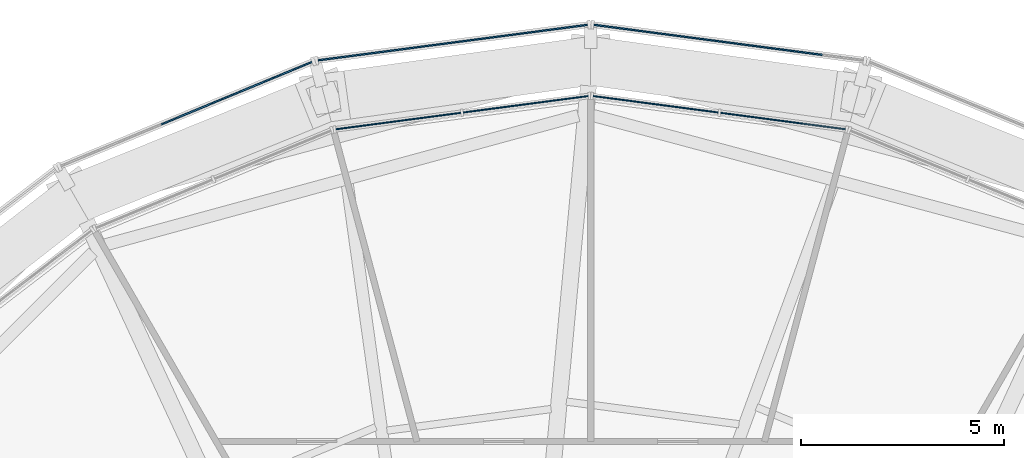
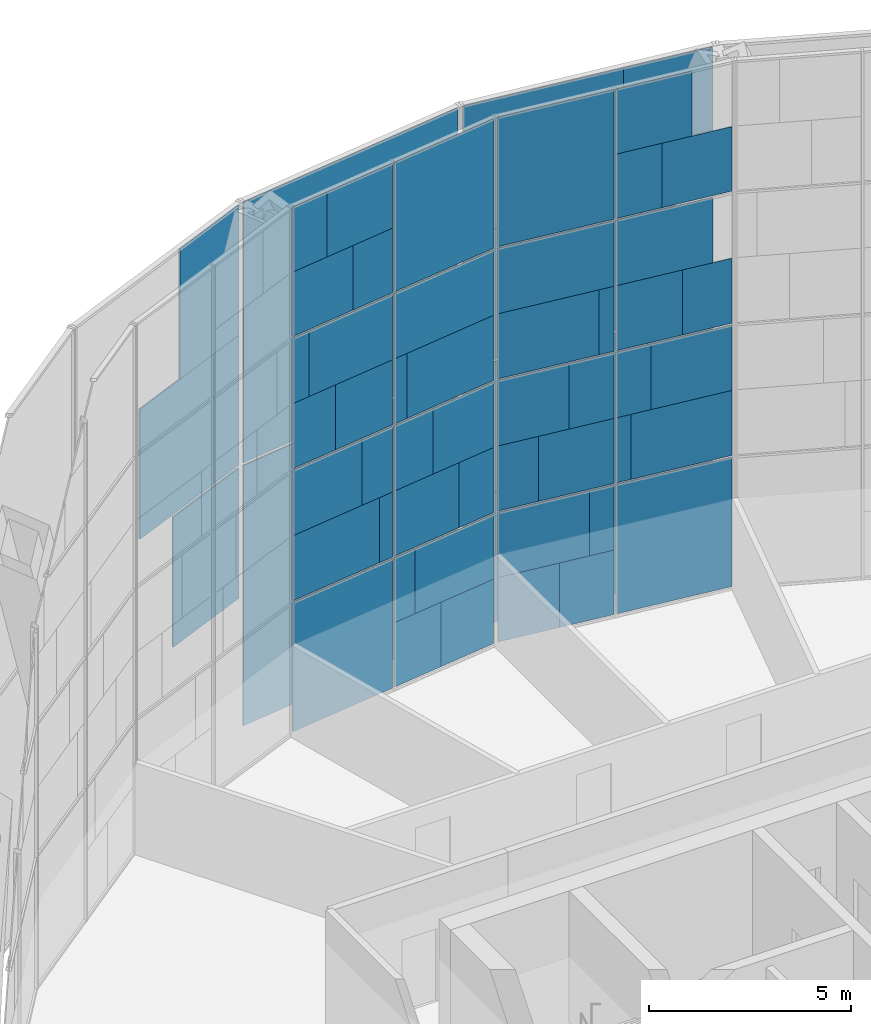
# One storey, part 23 of 29: 63 plates, 5 elements without a shape of their own.
"""IFC4 building model written with IfcOpenShell, lengths in metres."""

from ifc_helpers import new_model, si_unit, direction, frame, origin, origin_2d, place, context, subcontext, project, spatial, rectangle, extrude, material, layer, layer_set, type_object, element, aggregate, save


model = new_model("IFC4")

# Units and contexts
model_context = context("Model", 3, precision=1e-05, world=origin(), true_north=direction((0.0, 1.0)))
body_context = subcontext(model_context, "Body", "Model", "MODEL_VIEW")
ifc_project = project(units=[si_unit("LENGTHUNIT", "METRE"), si_unit("AREAUNIT", "SQUARE_METRE"), si_unit("VOLUMEUNIT", "CUBIC_METRE"), si_unit("PLANEANGLEUNIT", "RADIAN"), si_unit("MASSUNIT", "GRAM", prefix="KILO")], contexts=[model_context])

# Site, building, storey
site_placement = place(None, origin())
site = spatial("IfcSite", under=ifc_project, at=site_placement, CompositionType="ELEMENT")
building_placement = place(site_placement, origin())
building = spatial("IfcBuilding", under=site, at=building_placement, Name="Golbaran Civic Tower", CompositionType="ELEMENT")
storey_placement = place(building_placement, frame((0.0, 0.0, 118.0)))
storey = spatial("IfcBuildingStorey", under=building, at=storey_placement, Name="L28", CompositionType="ELEMENT", Elevation=118.0)

# Curtain wall, plates
ifc_material_1 = material(Name="Aluminium and glass", Category="aluminium")
curtain_wall_type_1 = type_object("IfcCurtainWallType", Name="INNER SKIN CURTAIN WALL", PredefinedType="NOTDEFINED", material=ifc_material_1)
curtain_wall_1_placement = place(storey_placement, origin())
curtain_wall_1 = element("IfcCurtainWall", 1, at=curtain_wall_1_placement, inside=storey, type_object=curtain_wall_type_1, Name="Inner skin L28 facet 6 CW1", ObjectType="INNER SKIN", PredefinedType="USERDEFINED")
ifc_material_2 = material(Name="Clear insulating glass", Category="glass")
ifc_layer_1 = layer(ifc_material_2, 0.031982421875, Name="Clear insulating glass")
ifc_layer_set_1 = layer_set([ifc_layer_1], Name="Clear insulating glass")
plate_type_1 = type_object("IfcPlateType", Name="INNER SKIN CURTAIN WALL GLAZED PANEL", PredefinedType="CURTAIN_PANEL", material=ifc_layer_set_1)
plate_1_placement = place(storey_placement, frame((4.746337890625, 23.9091796875, 0.06494140625), z_axis=(0.0, 0.0, 1.0), x_axis=(-0.991444861372, 0.130526192237, 0.0)))
plate_1 = element("IfcPlate", 2, at=plate_1_placement, type_object=plate_type_1, Name="CW1 panel 1.1", PredefinedType="CURTAIN_PANEL", context=body_context, shape_type="SweptSolid", body=[
    extrude(rectangle(XDim=3.104736328125, YDim=0.031982421875, at=origin_2d()), origin(), (0.0, 0.0, 1.0), 3.902587890625),
])
plate_2_placement = place(storey_placement, frame((4.945556640625, 23.8828125, 4.03271484375), z_axis=(0.0, 0.0, 1.0), x_axis=(-0.991444861372, 0.130526192237, 0.0)))
plate_2 = element("IfcPlate", 3, at=plate_2_placement, type_object=plate_type_1, Name="CW1 panel 1.2 part 1", PredefinedType="CURTAIN_PANEL", context=body_context, shape_type="SweptSolid", body=[
    extrude(rectangle(XDim=2.702880859375, YDim=0.031982421875, at=origin_2d()), origin(), (0.0, 0.0, 1.0), 1.967529296875),
])
plate_3_placement = place(storey_placement, frame((5.211669921875, 23.847900390625, 6.0), z_axis=(0.0, 0.0, 1.0), x_axis=(-0.991444861372, 0.130526192237, 0.0)))
plate_3 = element("IfcPlate", 4, at=plate_3_placement, type_object=plate_type_1, Name="CW1 panel 1.2 part 3", PredefinedType="CURTAIN_PANEL", context=body_context, shape_type="SweptSolid", body=[
    extrude(rectangle(XDim=2.166015625, YDim=0.031982421875, at=origin_2d()), origin(), (0.0, 0.0, 1.0), 1.967529296875),
])
plate_4_placement = place(storey_placement, frame((5.628662109375, 23.79296875, 8.03271484375), z_axis=(0.0, 0.0, 1.0), x_axis=(-0.991444861372, 0.130526192237, 0.0)))
plate_4 = element("IfcPlate", 5, at=plate_4_placement, type_object=plate_type_1, Name="CW1 panel 1.3 part 1", PredefinedType="CURTAIN_PANEL", context=body_context, shape_type="SweptSolid", body=[
    extrude(rectangle(XDim=1.324951171875, YDim=0.031982421875, at=origin_2d()), origin(), (0.0, 0.0, 1.0), 1.967529296875),
])
plate_5_placement = place(storey_placement, frame((3.81787109375, 24.031494140625, 12.032470703125), z_axis=(0.0, 0.0, 1.0), x_axis=(-0.991444861372, 0.130526192237, 0.0)))
plate_5 = element("IfcPlate", 6, at=plate_5_placement, type_object=plate_type_1, Name="CW1 panel 1.4 part 2", PredefinedType="CURTAIN_PANEL", context=body_context, shape_type="SweptSolid", body=[
    extrude(rectangle(XDim=1.23193359375, YDim=0.031982421875, at=origin_2d()), origin(), (0.0, 0.0, 1.0), 1.951171875),
])
plate_6_placement = place(storey_placement, frame((4.21826171875, 23.978759765625, 13.98388671875), z_axis=(0.0, 0.0, 1.0), x_axis=(-0.991444861372, 0.130526192237, 0.0)))
plate_6 = element("IfcPlate", 7, at=plate_6_placement, type_object=plate_type_1, Name="CW1 panel 1.4 part 4", PredefinedType="CURTAIN_PANEL", context=body_context, shape_type="SweptSolid", body=[
    extrude(rectangle(XDim=2.039794921875, YDim=0.031982421875, at=origin_2d()), origin(), (0.0, 0.0, 1.0), 1.951171875),
])
plate_7_placement = place(storey_placement, frame((2.41943359375, 24.215576171875, 0.06494140625), z_axis=(0.0, 0.0, 1.0), x_axis=(-0.991444861372, 0.130526192237, 0.0)))
plate_7 = element("IfcPlate", 8, at=plate_7_placement, type_object=plate_type_1, Name="CW1 panel 2.1 part 1", PredefinedType="CURTAIN_PANEL", context=body_context, shape_type="SweptSolid", body=[
    extrude(rectangle(XDim=1.458984375, YDim=0.031982421875, at=origin_2d()), origin(), (0.0, 0.0, 1.0), 1.951171875),
])
plate_8_placement = place(storey_placement, frame((2.820068359375, 24.162841796875, 2.016357421875), z_axis=(0.0, 0.0, 1.0), x_axis=(-0.991444861372, 0.130526192237, 0.0)))
plate_8 = element("IfcPlate", 9, at=plate_8_placement, type_object=plate_type_1, Name="CW1 panel 2.1 part 3", PredefinedType="CURTAIN_PANEL", context=body_context, shape_type="SweptSolid", body=[
    extrude(rectangle(XDim=0.65087890625, YDim=0.031982421875, at=origin_2d()), origin(), (0.0, 0.0, 1.0), 1.951171875),
])
plate_9_placement = place(storey_placement, frame((0.605224609375, 24.454345703125, 4.03271484375), z_axis=(0.0, 0.0, 1.0), x_axis=(-0.991444861372, 0.130526192237, 0.0)))
plate_9 = element("IfcPlate", 10, at=plate_9_placement, type_object=plate_type_1, Name="CW1 panel 2.2 part 2", PredefinedType="CURTAIN_PANEL", context=body_context, shape_type="SweptSolid", body=[
    extrude(rectangle(XDim=1.0908203125, YDim=0.031982421875, at=origin_2d()), origin(), (0.0, 0.0, 1.0), 1.967529296875),
])
plate_10_placement = place(storey_placement, frame((1.00927734375, 24.401123046875, 6.0), z_axis=(0.0, 0.0, 1.0), x_axis=(-0.991444861372, 0.130526192237, 0.0)))
plate_10 = element("IfcPlate", 11, at=plate_10_placement, type_object=plate_type_1, Name="CW1 panel 2.2 part 4", PredefinedType="CURTAIN_PANEL", context=body_context, shape_type="SweptSolid", body=[
    extrude(rectangle(XDim=1.90576171875, YDim=0.031982421875, at=origin_2d()), origin(), (0.0, 0.0, 1.0), 1.967529296875),
])
plate_11_placement = place(storey_placement, frame((1.4052734375, 24.348876953125, 8.03271484375), z_axis=(0.0, 0.0, 1.0), x_axis=(-0.991444861372, 0.130526192237, 0.0)))
plate_11 = element("IfcPlate", 12, at=plate_11_placement, type_object=plate_type_1, Name="CW1 panel 2.3 part 2", PredefinedType="CURTAIN_PANEL", context=body_context, shape_type="SweptSolid", body=[
    extrude(rectangle(XDim=2.704833984375, YDim=0.031982421875, at=origin_2d()), origin(), (0.0, 0.0, 1.0), 1.967529296875),
])
plate_12_placement = place(storey_placement, frame((1.603515625, 24.322998046875, 10.0), z_axis=(0.0, 0.0, 1.0), x_axis=(-0.991444861372, 0.130526192237, 0.0)))
plate_12 = element("IfcPlate", 13, at=plate_12_placement, type_object=plate_type_1, Name="CW1 panel 2.3 part 3", PredefinedType="CURTAIN_PANEL", context=body_context, shape_type="SweptSolid", body=[
    extrude(rectangle(XDim=3.104736328125, YDim=0.031982421875, at=origin_2d()), origin(), (0.0, 0.0, 1.0), 1.967529296875),
])
plate_13_placement = place(storey_placement, frame((1.603515625, 24.322998046875, 12.0322265625), z_axis=(0.0, 0.0, 1.0), x_axis=(-0.991444861372, 0.130526192237, 0.0)))
plate_13 = element("IfcPlate", 14, at=plate_13_placement, type_object=plate_type_1, Name="CW1 panel 2.4", PredefinedType="CURTAIN_PANEL", context=body_context, shape_type="SweptSolid", body=[
    extrude(rectangle(XDim=3.104736328125, YDim=0.031982421875, at=origin_2d()), origin(), (0.0, 0.0, 1.0), 3.902587890625),
])

curtain_wall_2_placement = place(storey_placement, origin())
curtain_wall_2 = element("IfcCurtainWall", 15, at=curtain_wall_2_placement, inside=storey, type_object=curtain_wall_type_1, Name="Inner skin L28 facet 7 CW1", ObjectType="INNER SKIN", PredefinedType="USERDEFINED")
plate_14_placement = place(storey_placement, frame((-2.41943359375, 24.215576171875, 0.06494140625), z_axis=(0.0, 0.0, 1.0), x_axis=(-0.991444861372, -0.130526192237, 0.0)))
plate_14 = element("IfcPlate", 16, at=plate_14_placement, type_object=plate_type_1, Name="CW1 panel 1.1 part 2", PredefinedType="CURTAIN_PANEL", context=body_context, shape_type="SweptSolid", body=[
    extrude(rectangle(XDim=1.458740234375, YDim=0.031982421875, at=origin_2d()), origin(), (0.0, 0.0, 1.0), 1.951171875),
])
plate_15_placement = place(storey_placement, frame((-2.819580078125, 24.162841796875, 2.016357421875), z_axis=(0.0, 0.0, 1.0), x_axis=(-0.991444861372, -0.130526192237, 0.0)))
plate_15 = element("IfcPlate", 17, at=plate_15_placement, type_object=plate_type_1, Name="CW1 panel 1.1 part 4", PredefinedType="CURTAIN_PANEL", context=body_context, shape_type="SweptSolid", body=[
    extrude(rectangle(XDim=0.65185546875, YDim=0.031982421875, at=origin_2d()), origin(), (0.0, 0.0, 1.0), 1.951171875),
])
plate_16_placement = place(storey_placement, frame((-0.605224609375, 24.454345703125, 4.03271484375), z_axis=(0.0, 0.0, 1.0), x_axis=(-0.991444861372, -0.130526192237, 0.0)))
plate_16 = element("IfcPlate", 18, at=plate_16_placement, type_object=plate_type_1, Name="CW1 panel 1.2 part 1", PredefinedType="CURTAIN_PANEL", context=body_context, shape_type="SweptSolid", body=[
    extrude(rectangle(XDim=1.091064453125, YDim=0.031982421875, at=origin_2d()), origin(), (0.0, 0.0, 1.0), 1.967529296875),
])
plate_17_placement = place(storey_placement, frame((-1.0087890625, 24.401123046875, 6.0), z_axis=(0.0, 0.0, 1.0), x_axis=(-0.991444861372, -0.130526192237, 0.0)))
plate_17 = element("IfcPlate", 19, at=plate_17_placement, type_object=plate_type_1, Name="CW1 panel 1.2 part 3", PredefinedType="CURTAIN_PANEL", context=body_context, shape_type="SweptSolid", body=[
    extrude(rectangle(XDim=1.905029296875, YDim=0.031982421875, at=origin_2d()), origin(), (0.0, 0.0, 1.0), 1.967529296875),
])
plate_18_placement = place(storey_placement, frame((-1.404296875, 24.34912109375, 8.03271484375), z_axis=(0.0, 0.0, 1.0), x_axis=(-0.991444861372, -0.130526192237, 0.0)))
plate_18 = element("IfcPlate", 20, at=plate_18_placement, type_object=plate_type_1, Name="CW1 panel 1.3 part 1", PredefinedType="CURTAIN_PANEL", context=body_context, shape_type="SweptSolid", body=[
    extrude(rectangle(XDim=2.702880859375, YDim=0.031982421875, at=origin_2d()), origin(), (0.0, 0.0, 1.0), 1.967529296875),
])
plate_19_placement = place(storey_placement, frame((-1.603515625, 24.322998046875, 10.0), z_axis=(0.0, 0.0, 1.0), x_axis=(-0.991444861372, -0.130526192237, 0.0)))
plate_19 = element("IfcPlate", 21, at=plate_19_placement, type_object=plate_type_1, Name="CW1 panel 1.3 part 3", PredefinedType="CURTAIN_PANEL", context=body_context, shape_type="SweptSolid", body=[
    extrude(rectangle(XDim=3.104736328125, YDim=0.031982421875, at=origin_2d()), origin(), (0.0, 0.0, 1.0), 1.967529296875),
])
plate_20_placement = place(storey_placement, frame((-1.603515625, 24.322998046875, 12.0322265625), z_axis=(0.0, 0.0, 1.0), x_axis=(-0.991444861372, -0.130526192237, 0.0)))
plate_20 = element("IfcPlate", 22, at=plate_20_placement, type_object=plate_type_1, Name="CW1 panel 1.4", PredefinedType="CURTAIN_PANEL", context=body_context, shape_type="SweptSolid", body=[
    extrude(rectangle(XDim=3.104736328125, YDim=0.031982421875, at=origin_2d()), origin(), (0.0, 0.0, 1.0), 3.902587890625),
])
plate_21_placement = place(storey_placement, frame((-4.746337890625, 23.9091796875, 0.06494140625), z_axis=(0.0, 0.0, 1.0), x_axis=(-0.991444861372, -0.130526192237, 0.0)))
plate_21 = element("IfcPlate", 23, at=plate_21_placement, type_object=plate_type_1, Name="CW1 panel 2.1", PredefinedType="CURTAIN_PANEL", context=body_context, shape_type="SweptSolid", body=[
    extrude(rectangle(XDim=3.104736328125, YDim=0.031982421875, at=origin_2d()), origin(), (0.0, 0.0, 1.0), 3.902587890625),
])
plate_22_placement = place(storey_placement, frame((-4.945068359375, 23.883056640625, 4.03271484375), z_axis=(0.0, 0.0, 1.0), x_axis=(-0.991444861372, -0.130526192237, 0.0)))
plate_22 = element("IfcPlate", 24, at=plate_22_placement, type_object=plate_type_1, Name="CW1 panel 2.2 part 2", PredefinedType="CURTAIN_PANEL", context=body_context, shape_type="SweptSolid", body=[
    extrude(rectangle(XDim=2.703857421875, YDim=0.031982421875, at=origin_2d()), origin(), (0.0, 0.0, 1.0), 1.967529296875),
])
plate_23_placement = place(storey_placement, frame((-5.211669921875, 23.847900390625, 6.0), z_axis=(0.0, 0.0, 1.0), x_axis=(-0.991444861372, -0.130526192237, 0.0)))
plate_23 = element("IfcPlate", 25, at=plate_23_placement, type_object=plate_type_1, Name="CW1 panel 2.2 part 4", PredefinedType="CURTAIN_PANEL", context=body_context, shape_type="SweptSolid", body=[
    extrude(rectangle(XDim=2.165771484375, YDim=0.031982421875, at=origin_2d()), origin(), (0.0, 0.0, 1.0), 1.967529296875),
])
plate_24_placement = place(storey_placement, frame((-5.628662109375, 23.79296875, 8.03271484375), z_axis=(0.0, 0.0, 1.0), x_axis=(-0.991444861372, -0.130526192237, 0.0)))
plate_24 = element("IfcPlate", 26, at=plate_24_placement, type_object=plate_type_1, Name="CW1 panel 2.3 part 2", PredefinedType="CURTAIN_PANEL", context=body_context, shape_type="SweptSolid", body=[
    extrude(rectangle(XDim=1.324951171875, YDim=0.031982421875, at=origin_2d()), origin(), (0.0, 0.0, 1.0), 1.967529296875),
])
plate_25_placement = place(storey_placement, frame((-6.03271484375, 23.73974609375, 10.0), z_axis=(0.0, 0.0, 1.0), x_axis=(-0.991444861372, -0.130526192237, 0.0)))
plate_25 = element("IfcPlate", 27, at=plate_25_placement, type_object=plate_type_1, Name="CW1 panel 2.3 part 4", PredefinedType="CURTAIN_PANEL", context=body_context, shape_type="SweptSolid", body=[
    extrude(rectangle(XDim=0.509765625, YDim=0.031982421875, at=origin_2d()), origin(), (0.0, 0.0, 1.0), 1.967529296875),
])
plate_26_placement = place(storey_placement, frame((-3.81787109375, 24.03125, 12.032470703125), z_axis=(0.0, 0.0, 1.0), x_axis=(-0.991444861372, -0.130526192237, 0.0)))
plate_26 = element("IfcPlate", 28, at=plate_26_placement, type_object=plate_type_1, Name="CW1 panel 2.4 part 1", PredefinedType="CURTAIN_PANEL", context=body_context, shape_type="SweptSolid", body=[
    extrude(rectangle(XDim=1.23193359375, YDim=0.031982421875, at=origin_2d()), origin(), (0.0, 0.0, 1.0), 1.951171875),
])
plate_27_placement = place(storey_placement, frame((-4.218505859375, 23.978515625, 13.98388671875), z_axis=(0.0, 0.0, 1.0), x_axis=(-0.991444861372, -0.130526192237, 0.0)))
plate_27 = element("IfcPlate", 29, at=plate_27_placement, type_object=plate_type_1, Name="CW1 panel 2.4 part 3", PredefinedType="CURTAIN_PANEL", context=body_context, shape_type="SweptSolid", body=[
    extrude(rectangle(XDim=2.0400390625, YDim=0.031982421875, at=origin_2d()), origin(), (0.0, 0.0, 1.0), 1.951171875),
])

# Plate
ifc_material_3 = material(Name="Aluminium faced opaque infill panel", Category="aluminium")
ifc_layer_2 = layer(ifc_material_3, 0.031982421875, Name="Aluminium faced opaque infill panel")
ifc_layer_set_2 = layer_set([ifc_layer_2], Name="Aluminium faced opaque infill panel")
plate_type_2 = type_object("IfcPlateType", Name="INNER SKIN CURTAIN WALL OPAQUE INFILL PANEL", PredefinedType="CURTAIN_PANEL", material=ifc_layer_set_2)
plate_28_placement = place(storey_placement, frame((3.40625, 24.08544921875, 4.03271484375), z_axis=(0.0, 0.0, 1.0), x_axis=(-0.991444861372, 0.130526192237, 0.0)))
plate_28 = element("IfcPlate", 30, at=plate_28_placement, type_object=plate_type_2, Name="CW1 infill panel 1.2 part 2", PredefinedType="CURTAIN_PANEL", context=body_context, shape_type="SweptSolid", body=[
    extrude(rectangle(XDim=0.40185546875, YDim=0.031982421875, at=origin_2d()), origin(), (0.0, 0.0, 1.0), 1.967529296875),
])

plate_29_placement = place(storey_placement, frame((3.672607421875, 24.050537109375, 6.0), z_axis=(0.0, 0.0, 1.0), x_axis=(-0.991444861372, 0.130526192237, 0.0)))
plate_29 = element("IfcPlate", 31, at=plate_29_placement, type_object=plate_type_2, Name="CW1 infill panel 1.2 part 4", PredefinedType="CURTAIN_PANEL", context=body_context, shape_type="SweptSolid", body=[
    extrude(rectangle(XDim=0.938720703125, YDim=0.031982421875, at=origin_2d()), origin(), (0.0, 0.0, 1.0), 1.967529296875),
])

plate_30_placement = place(storey_placement, frame((4.08935546875, 23.99560546875, 8.03271484375), z_axis=(0.0, 0.0, 1.0), x_axis=(-0.991444861372, 0.130526192237, 0.0)))
plate_30 = element("IfcPlate", 32, at=plate_30_placement, type_object=plate_type_2, Name="CW1 infill panel 1.3 part 2", PredefinedType="CURTAIN_PANEL", context=body_context, shape_type="SweptSolid", body=[
    extrude(rectangle(XDim=1.77978515625, YDim=0.031982421875, at=origin_2d()), origin(), (0.0, 0.0, 1.0), 1.967529296875),
])

plate_31_placement = place(storey_placement, frame((4.493408203125, 23.9423828125, 10.0), z_axis=(0.0, 0.0, 1.0), x_axis=(-0.991444861372, 0.130526192237, 0.0)))
plate_31 = element("IfcPlate", 33, at=plate_31_placement, type_object=plate_type_2, Name="CW1 infill panel 1.3 part 4", PredefinedType="CURTAIN_PANEL", context=body_context, shape_type="SweptSolid", body=[
    extrude(rectangle(XDim=2.5947265625, YDim=0.031982421875, at=origin_2d()), origin(), (0.0, 0.0, 1.0), 1.967529296875),
])

plate_32_placement = place(storey_placement, frame((5.35693359375, 23.828857421875, 12.032470703125), z_axis=(0.0, 0.0, 1.0), x_axis=(-0.991444861372, 0.130526192237, 0.0)))
plate_32 = element("IfcPlate", 34, at=plate_32_placement, type_object=plate_type_2, Name="CW1 infill panel 1.4 part 1", PredefinedType="CURTAIN_PANEL", context=body_context, shape_type="SweptSolid", body=[
    extrude(rectangle(XDim=1.873046875, YDim=0.031982421875, at=origin_2d()), origin(), (0.0, 0.0, 1.0), 1.951171875),
])

plate_33_placement = place(storey_placement, frame((0.88037109375, 24.418212890625, 0.06494140625), z_axis=(0.0, 0.0, 1.0), x_axis=(-0.991444861372, 0.130526192237, 0.0)))
plate_33 = element("IfcPlate", 35, at=plate_33_placement, type_object=plate_type_2, Name="CW1 infill panel 2.1 part 2", PredefinedType="CURTAIN_PANEL", context=body_context, shape_type="SweptSolid", body=[
    extrude(rectangle(XDim=1.645751953125, YDim=0.031982421875, at=origin_2d()), origin(), (0.0, 0.0, 1.0), 1.951171875),
])

plate_34_placement = place(storey_placement, frame((1.28076171875, 24.365478515625, 2.016357421875), z_axis=(0.0, 0.0, 1.0), x_axis=(-0.991444861372, 0.130526192237, 0.0)))
plate_34 = element("IfcPlate", 36, at=plate_34_placement, type_object=plate_type_2, Name="CW1 infill panel 2.1 part 4", PredefinedType="CURTAIN_PANEL", context=body_context, shape_type="SweptSolid", body=[
    extrude(rectangle(XDim=2.453857421875, YDim=0.031982421875, at=origin_2d()), origin(), (0.0, 0.0, 1.0), 1.951171875),
])

plate_35_placement = place(storey_placement, frame((2.144287109375, 24.251708984375, 4.03271484375), z_axis=(0.0, 0.0, 1.0), x_axis=(-0.991444861372, 0.130526192237, 0.0)))
plate_35 = element("IfcPlate", 37, at=plate_35_placement, type_object=plate_type_2, Name="CW1 infill panel 2.2 part 1", PredefinedType="CURTAIN_PANEL", context=body_context, shape_type="SweptSolid", body=[
    extrude(rectangle(XDim=2.013916015625, YDim=0.031982421875, at=origin_2d()), origin(), (0.0, 0.0, 1.0), 1.967529296875),
])

plate_36_placement = place(storey_placement, frame((2.54833984375, 24.198486328125, 6.0), z_axis=(0.0, 0.0, 1.0), x_axis=(-0.991444861372, 0.130526192237, 0.0)))
plate_36 = element("IfcPlate", 38, at=plate_36_placement, type_object=plate_type_2, Name="CW1 infill panel 2.2 part 3", PredefinedType="CURTAIN_PANEL", context=body_context, shape_type="SweptSolid", body=[
    extrude(rectangle(XDim=1.198974609375, YDim=0.031982421875, at=origin_2d()), origin(), (0.0, 0.0, 1.0), 1.967529296875),
])

plate_37_placement = place(storey_placement, frame((2.9443359375, 24.146240234375, 8.03271484375), z_axis=(0.0, 0.0, 1.0), x_axis=(-0.991444861372, 0.130526192237, 0.0)))
plate_37 = element("IfcPlate", 39, at=plate_37_placement, type_object=plate_type_2, Name="CW1 infill panel 2.3 part 1", PredefinedType="CURTAIN_PANEL", context=body_context, shape_type="SweptSolid", body=[
    extrude(rectangle(XDim=0.39990234375, YDim=0.031982421875, at=origin_2d()), origin(), (0.0, 0.0, 1.0), 1.967529296875),
])

aggregate(curtain_wall_1, [plate_1, plate_2, plate_28, plate_3, plate_29, plate_4, plate_30, plate_31, plate_32, plate_5, plate_6, plate_7, plate_33, plate_8, plate_34, plate_35, plate_9, plate_36, plate_10, plate_37, plate_11, plate_12, plate_13])

plate_38_placement = place(storey_placement, frame((-0.88037109375, 24.418212890625, 0.06494140625), z_axis=(0.0, 0.0, 1.0), x_axis=(-0.991444861372, -0.130526192237, 0.0)))
plate_38 = element("IfcPlate", 40, at=plate_38_placement, type_object=plate_type_2, Name="CW1 infill panel 1.1 part 1", PredefinedType="CURTAIN_PANEL", context=body_context, shape_type="SweptSolid", body=[
    extrude(rectangle(XDim=1.64599609375, YDim=0.031982421875, at=origin_2d()), origin(), (0.0, 0.0, 1.0), 1.951171875),
])

plate_39_placement = place(storey_placement, frame((-1.280517578125, 24.365478515625, 2.016357421875), z_axis=(0.0, 0.0, 1.0), x_axis=(-0.991444861372, -0.130526192237, 0.0)))
plate_39 = element("IfcPlate", 41, at=plate_39_placement, type_object=plate_type_2, Name="CW1 infill panel 1.1 part 3", PredefinedType="CURTAIN_PANEL", context=body_context, shape_type="SweptSolid", body=[
    extrude(rectangle(XDim=2.452880859375, YDim=0.031982421875, at=origin_2d()), origin(), (0.0, 0.0, 1.0), 1.951171875),
])

plate_40_placement = place(storey_placement, frame((-2.14453125, 24.251708984375, 4.03271484375), z_axis=(0.0, 0.0, 1.0), x_axis=(-0.991444861372, -0.130526192237, 0.0)))
plate_40 = element("IfcPlate", 42, at=plate_40_placement, type_object=plate_type_2, Name="CW1 infill panel 1.2 part 2", PredefinedType="CURTAIN_PANEL", context=body_context, shape_type="SweptSolid", body=[
    extrude(rectangle(XDim=2.013916015625, YDim=0.031982421875, at=origin_2d()), origin(), (0.0, 0.0, 1.0), 1.967529296875),
])

plate_41_placement = place(storey_placement, frame((-2.5478515625, 24.198486328125, 6.0), z_axis=(0.0, 0.0, 1.0), x_axis=(-0.991444861372, -0.130526192237, 0.0)))
plate_41 = element("IfcPlate", 43, at=plate_41_placement, type_object=plate_type_2, Name="CW1 infill panel 1.2 part 4", PredefinedType="CURTAIN_PANEL", context=body_context, shape_type="SweptSolid", body=[
    extrude(rectangle(XDim=1.199951171875, YDim=0.031982421875, at=origin_2d()), origin(), (0.0, 0.0, 1.0), 1.967529296875),
])

plate_42_placement = place(storey_placement, frame((-2.943603515625, 24.146484375, 8.03271484375), z_axis=(0.0, 0.0, 1.0), x_axis=(-0.991444861372, -0.130526192237, 0.0)))
plate_42 = element("IfcPlate", 44, at=plate_42_placement, type_object=plate_type_2, Name="CW1 infill panel 1.3 part 2", PredefinedType="CURTAIN_PANEL", context=body_context, shape_type="SweptSolid", body=[
    extrude(rectangle(XDim=0.40185546875, YDim=0.031982421875, at=origin_2d()), origin(), (0.0, 0.0, 1.0), 1.967529296875),
])

plate_43_placement = place(storey_placement, frame((-3.406005859375, 24.085693359375, 4.03271484375), z_axis=(0.0, 0.0, 1.0), x_axis=(-0.991444861372, -0.130526192237, 0.0)))
plate_43 = element("IfcPlate", 45, at=plate_43_placement, type_object=plate_type_2, Name="CW1 infill panel 2.2 part 1", PredefinedType="CURTAIN_PANEL", context=body_context, shape_type="SweptSolid", body=[
    extrude(rectangle(XDim=0.40087890625, YDim=0.031982421875, at=origin_2d()), origin(), (0.0, 0.0, 1.0), 1.967529296875),
])

plate_44_placement = place(storey_placement, frame((-3.672607421875, 24.050537109375, 6.0), z_axis=(0.0, 0.0, 1.0), x_axis=(-0.991444861372, -0.130526192237, 0.0)))
plate_44 = element("IfcPlate", 46, at=plate_44_placement, type_object=plate_type_2, Name="CW1 infill panel 2.2 part 3", PredefinedType="CURTAIN_PANEL", context=body_context, shape_type="SweptSolid", body=[
    extrude(rectangle(XDim=0.93896484375, YDim=0.031982421875, at=origin_2d()), origin(), (0.0, 0.0, 1.0), 1.967529296875),
])

plate_45_placement = place(storey_placement, frame((-4.089599609375, 23.99560546875, 8.03271484375), z_axis=(0.0, 0.0, 1.0), x_axis=(-0.991444861372, -0.130526192237, 0.0)))
plate_45 = element("IfcPlate", 47, at=plate_45_placement, type_object=plate_type_2, Name="CW1 infill panel 2.3 part 1", PredefinedType="CURTAIN_PANEL", context=body_context, shape_type="SweptSolid", body=[
    extrude(rectangle(XDim=1.780029296875, YDim=0.031982421875, at=origin_2d()), origin(), (0.0, 0.0, 1.0), 1.967529296875),
])

plate_46_placement = place(storey_placement, frame((-4.49365234375, 23.9423828125, 10.0), z_axis=(0.0, 0.0, 1.0), x_axis=(-0.991444861372, -0.130526192237, 0.0)))
plate_46 = element("IfcPlate", 48, at=plate_46_placement, type_object=plate_type_2, Name="CW1 infill panel 2.3 part 3", PredefinedType="CURTAIN_PANEL", context=body_context, shape_type="SweptSolid", body=[
    extrude(rectangle(XDim=2.594970703125, YDim=0.031982421875, at=origin_2d()), origin(), (0.0, 0.0, 1.0), 1.967529296875),
])

plate_47_placement = place(storey_placement, frame((-5.35693359375, 23.82861328125, 12.032470703125), z_axis=(0.0, 0.0, 1.0), x_axis=(-0.991444861372, -0.130526192237, 0.0)))
plate_47 = element("IfcPlate", 49, at=plate_47_placement, type_object=plate_type_2, Name="CW1 infill panel 2.4 part 2", PredefinedType="CURTAIN_PANEL", context=body_context, shape_type="SweptSolid", body=[
    extrude(rectangle(XDim=1.872802734375, YDim=0.031982421875, at=origin_2d()), origin(), (0.0, 0.0, 1.0), 1.951171875),
])

plate_48_placement = place(storey_placement, frame((-5.757568359375, 23.776123046875, 13.98388671875), z_axis=(0.0, 0.0, 1.0), x_axis=(-0.991444861372, -0.130526192237, 0.0)))
plate_48 = element("IfcPlate", 50, at=plate_48_placement, type_object=plate_type_2, Name="CW1 infill panel 2.4 part 4", PredefinedType="CURTAIN_PANEL", context=body_context, shape_type="SweptSolid", body=[
    extrude(rectangle(XDim=1.06494140625, YDim=0.031982421875, at=origin_2d()), origin(), (0.0, 0.0, 1.0), 1.951171875),
])

aggregate(curtain_wall_2, [plate_38, plate_14, plate_39, plate_15, plate_16, plate_40, plate_17, plate_41, plate_18, plate_42, plate_19, plate_20, plate_21, plate_43, plate_22, plate_44, plate_23, plate_45, plate_24, plate_46, plate_25, plate_26, plate_47, plate_27, plate_48])

# Curtain wall, plates
curtain_wall_type_2 = type_object("IfcCurtainWallType", Name="OUTER SKIN TERRACOTTA SCREEN", PredefinedType="NOTDEFINED", material=ifc_material_1)
curtain_wall_3_placement = place(storey_placement, origin())
curtain_wall_3 = element("IfcCurtainWall", 51, at=curtain_wall_3_placement, inside=storey, type_object=curtain_wall_type_2, Name="Outer skin L28 facet 6 CW3", ObjectType="OUTER SKIN", PredefinedType="USERDEFINED")
ifc_material_4 = material(Name="Clear laminated glass", Category="glass")
ifc_layer_3 = layer(ifc_material_4, 0.0400390625, Name="Clear laminated glass")
ifc_layer_set_3 = layer_set([ifc_layer_3], Name="Clear laminated glass")
plate_type_3 = type_object("IfcPlateType", Name="OUTER SKIN CLEAR GLASS PANEL", PredefinedType="CURTAIN_PANEL", material=ifc_layer_set_3)
plate_49_placement = place(storey_placement, frame((4.59033203125, 25.688720703125, -0.6298828125), z_axis=(0.0, 0.0, 1.0), x_axis=(-0.991444861381, 0.130526192168, 0.0)))
plate_49 = element("IfcPlate", 52, at=plate_49_placement, type_object=plate_type_3, Name="CW3 panel 1.1 part 1", PredefinedType="CURTAIN_PANEL", context=body_context, shape_type="SweptSolid", body=[
    extrude(rectangle(XDim=4.30810546875, YDim=0.0400390625, at=origin_2d()), origin(), (0.0, 0.0, 1.0), 3.93994140625),
])
plate_50_placement = place(storey_placement, frame((5.398681640625, 25.582275390625, 3.31005859375), z_axis=(0.0, 0.0, 1.0), x_axis=(-0.991444861381, 0.130526192168, 0.0)))
plate_50 = element("IfcPlate", 53, at=plate_50_placement, type_object=plate_type_3, Name="CW3 panel 1.1 part 3", PredefinedType="CURTAIN_PANEL", context=body_context, shape_type="SweptSolid", body=[
    extrude(rectangle(XDim=2.677001953125, YDim=0.0400390625, at=origin_2d()), origin(), (0.0, 0.0, 1.0), 3.93994140625),
])
plate_51_placement = place(storey_placement, frame((0.578369140625, 26.216796875, 3.31005859375), z_axis=(0.0, 0.0, 1.0), x_axis=(-0.991444861381, 0.130526192168, 0.0)))
plate_51 = element("IfcPlate", 54, at=plate_51_placement, type_object=plate_type_3, Name="CW3 panel 1.1 part 5", PredefinedType="CURTAIN_PANEL", context=body_context, shape_type="SweptSolid", body=[
    extrude(rectangle(XDim=1.0068359375, YDim=0.0400390625, at=origin_2d()), origin(), (0.0, 0.0, 1.0), 3.93994140625),
])
plate_52_placement = place(storey_placement, frame((1.4033203125, 26.108154296875, 7.330078125), z_axis=(0.0, 0.0, 1.0), x_axis=(-0.991444861381, 0.130526192168, 0.0)))
plate_52 = element("IfcPlate", 55, at=plate_52_placement, type_object=plate_type_3, Name="CW3 panel 1.2 part 3", PredefinedType="CURTAIN_PANEL", context=body_context, shape_type="SweptSolid", body=[
    extrude(rectangle(XDim=2.6708984375, YDim=0.0400390625, at=origin_2d()), origin(), (0.0, 0.0, 1.0), 3.93994140625),
])
plate_53_placement = place(storey_placement, frame((2.21142578125, 26.001953125, 11.27001953125), z_axis=(0.0, 0.0, 1.0), x_axis=(-0.991444861381, 0.130526192168, 0.0)))
plate_53 = element("IfcPlate", 56, at=plate_53_placement, type_object=plate_type_3, Name="CW3 panel 1.2 part 5", PredefinedType="CURTAIN_PANEL", context=body_context, shape_type="SweptSolid", body=[
    extrude(rectangle(XDim=4.30078125, YDim=0.0400390625, at=origin_2d()), origin(), (0.0, 0.0, 1.0), 3.93994140625),
])

curtain_wall_4_placement = place(storey_placement, origin())
curtain_wall_4 = element("IfcCurtainWall", 57, at=curtain_wall_4_placement, inside=storey, type_object=curtain_wall_type_2, Name="Outer skin L28 facet 8 CW3", ObjectType="OUTER SKIN", PredefinedType="USERDEFINED")
plate_54_placement = place(storey_placement, frame((-8.11572265625, 24.854248046875, 3.31005859375), z_axis=(0.0, 0.0, 1.0), x_axis=(-0.923879532505, -0.382683432381, 0.0)))
plate_54 = element("IfcPlate", 58, at=plate_54_placement, type_object=plate_type_3, Name="CW3 panel 1.1 part 3", PredefinedType="CURTAIN_PANEL", context=body_context, shape_type="SweptSolid", body=[
    extrude(rectangle(XDim=2.677001953125, YDim=0.0400390625, at=origin_2d()), origin(), (0.0, 0.0, 1.0), 3.93994140625),
])
plate_55_placement = place(storey_placement, frame((-7.347412109375, 25.17236328125, 7.330078125), z_axis=(0.0, 0.0, 1.0), x_axis=(-0.923879532505, -0.382683432381, 0.0)))
plate_55 = element("IfcPlate", 59, at=plate_55_placement, type_object=plate_type_3, Name="CW3 panel 1.2 part 1", PredefinedType="CURTAIN_PANEL", context=body_context, shape_type="SweptSolid", body=[
    extrude(rectangle(XDim=1.013916015625, YDim=0.0400390625, at=origin_2d()), origin(), (0.0, 0.0, 1.0), 3.93994140625),
])

# Plate
ifc_material_5 = material(Name="Terracotta baguette screen", Category="masonry")
ifc_layer_4 = layer(ifc_material_5, 0.0400390625, Name="Terracotta baguette screen")
ifc_layer_set_4 = layer_set([ifc_layer_4], Name="Terracotta baguette screen")
plate_type_4 = type_object("IfcPlateType", Name="OUTER SKIN TERRACOTTA INFILL PANEL", PredefinedType="CURTAIN_PANEL", material=ifc_layer_set_4)
plate_56_placement = place(storey_placement, frame((1.26708984375, 26.126220703125, -0.6298828125), z_axis=(0.0, 0.0, 1.0), x_axis=(-0.991444861381, 0.130526192168, 0.0)))
plate_56 = element("IfcPlate", 60, at=plate_56_placement, type_object=plate_type_4, Name="CW3 infill panel 1.1 part 2", PredefinedType="CURTAIN_PANEL", context=body_context, shape_type="SweptSolid", body=[
    extrude(rectangle(XDim=2.395751953125, YDim=0.0400390625, at=origin_2d()), origin(), (0.0, 0.0, 1.0), 3.93994140625),
])

plate_57_placement = place(storey_placement, frame((2.57470703125, 25.9541015625, 3.31005859375), z_axis=(0.0, 0.0, 1.0), x_axis=(-0.991444861381, 0.130526192168, 0.0)))
plate_57 = element("IfcPlate", 61, at=plate_57_placement, type_object=plate_type_4, Name="CW3 infill panel 1.1 part 4", PredefinedType="CURTAIN_PANEL", context=body_context, shape_type="SweptSolid", body=[
    extrude(rectangle(XDim=3.02001953125, YDim=0.0400390625, at=origin_2d()), origin(), (0.0, 0.0, 1.0), 3.93994140625),
])

plate_58_placement = place(storey_placement, frame((4.223876953125, 25.73681640625, 7.330078125), z_axis=(0.0, 0.0, 1.0), x_axis=(-0.991444861381, 0.130526192168, 0.0)))
plate_58 = element("IfcPlate", 62, at=plate_58_placement, type_object=plate_type_4, Name="CW3 infill panel 1.2 part 2", PredefinedType="CURTAIN_PANEL", context=body_context, shape_type="SweptSolid", body=[
    extrude(rectangle(XDim=3.01904296875, YDim=0.0400390625, at=origin_2d()), origin(), (0.0, 0.0, 1.0), 3.93994140625),
])

plate_59_placement = place(storey_placement, frame((5.53466796875, 25.564453125, 11.27001953125), z_axis=(0.0, 0.0, 1.0), x_axis=(-0.991444861381, 0.130526192168, 0.0)))
plate_59 = element("IfcPlate", 63, at=plate_59_placement, type_object=plate_type_4, Name="CW3 infill panel 1.2 part 4", PredefinedType="CURTAIN_PANEL", context=body_context, shape_type="SweptSolid", body=[
    extrude(rectangle(XDim=2.403076171875, YDim=0.0400390625, at=origin_2d()), origin(), (0.0, 0.0, 1.0), 3.93994140625),
])

aggregate(curtain_wall_3, [plate_49, plate_56, plate_50, plate_57, plate_51, plate_58, plate_52, plate_59, plate_53])

plate_60_placement = place(storey_placement, frame((-9.21044921875, 24.40087890625, 7.330078125), z_axis=(0.0, 0.0, 1.0), x_axis=(-0.923879532505, -0.382683432381, 0.0)))
plate_60 = element("IfcPlate", 64, at=plate_60_placement, type_object=plate_type_4, Name="CW3 infill panel 1.2 part 2", PredefinedType="CURTAIN_PANEL", context=body_context, shape_type="SweptSolid", body=[
    extrude(rectangle(XDim=3.01904296875, YDim=0.0400390625, at=origin_2d()), origin(), (0.0, 0.0, 1.0), 3.93994140625),
])

plate_61_placement = place(storey_placement, frame((-7.989013671875, 24.90673828125, 11.27001953125), z_axis=(0.0, 0.0, 1.0), x_axis=(-0.923879532505, -0.382683432381, 0.0)))
plate_61 = element("IfcPlate", 65, at=plate_61_placement, type_object=plate_type_4, Name="CW3 infill panel 1.2 part 4", PredefinedType="CURTAIN_PANEL", context=body_context, shape_type="SweptSolid", body=[
    extrude(rectangle(XDim=2.403076171875, YDim=0.0400390625, at=origin_2d()), origin(), (0.0, 0.0, 1.0), 3.93994140625),
])

aggregate(curtain_wall_4, [plate_54, plate_55, plate_60, plate_61])

# Curtain wall, plates
curtain_wall_5_placement = place(storey_placement, origin())
curtain_wall_5 = element("IfcCurtainWall", 66, at=curtain_wall_5_placement, inside=storey, type_object=curtain_wall_type_2, Name="Outer skin L28 facet 7 CW3", ObjectType="OUTER SKIN", PredefinedType="USERDEFINED")
ifc_layer_5 = layer(ifc_material_5, 0.0400390625, Name="Terracotta baguette screen")
ifc_layer_set_5 = layer_set([ifc_layer_5], Name="Terracotta baguette screen")
plate_type_5 = type_object("IfcPlateType", Name="OUTER SKIN TERRACOTTA SCREEN PANEL", PredefinedType="CURTAIN_PANEL", material=ifc_layer_set_5)
plate_62_placement = place(storey_placement, frame((-3.402587890625, 25.844970703125, -0.6298828125), z_axis=(0.0, 0.0, 1.0), x_axis=(-0.991444861381, -0.130526192168, 0.0)))
plate_62 = element("IfcPlate", 67, at=plate_62_placement, type_object=plate_type_5, Name="CW3 terracotta screen panel 1.1", PredefinedType="CURTAIN_PANEL", context=body_context, shape_type="SweptSolid", body=[
    extrude(rectangle(XDim=6.703857421875, YDim=0.0400390625, at=origin_2d()), origin(), (0.0, 0.0, 1.0), 7.8798828125),
])
plate_63_placement = place(storey_placement, frame((-3.402587890625, 25.844970703125, 7.330078125), z_axis=(0.0, 0.0, 1.0), x_axis=(-0.991444861381, -0.130526192168, 0.0)))
plate_63 = element("IfcPlate", 68, at=plate_63_placement, type_object=plate_type_5, Name="CW3 terracotta screen panel 1.2", PredefinedType="CURTAIN_PANEL", context=body_context, shape_type="SweptSolid", body=[
    extrude(rectangle(XDim=6.703857421875, YDim=0.0400390625, at=origin_2d()), origin(), (0.0, 0.0, 1.0), 7.8798828125),
])
aggregate(curtain_wall_5, [plate_62, plate_63])

save(model, "model.ifc")
